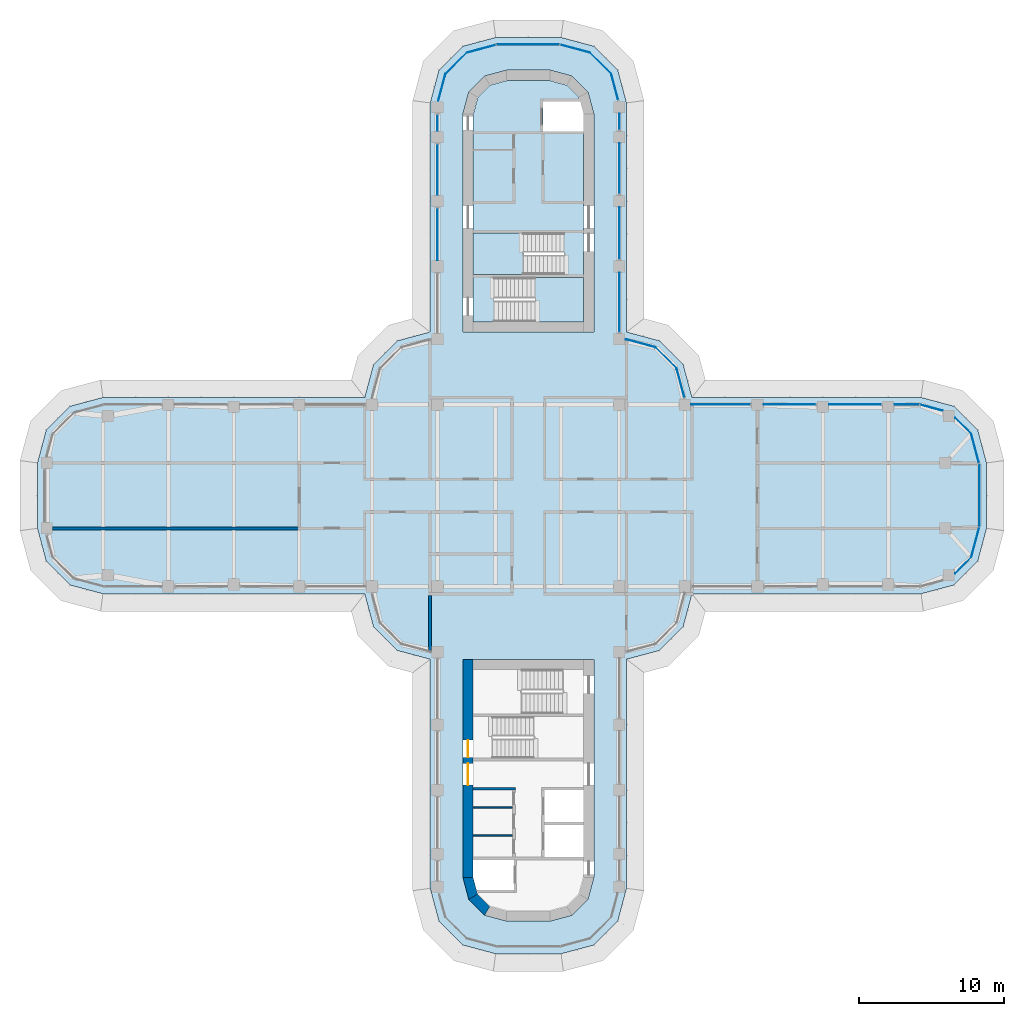
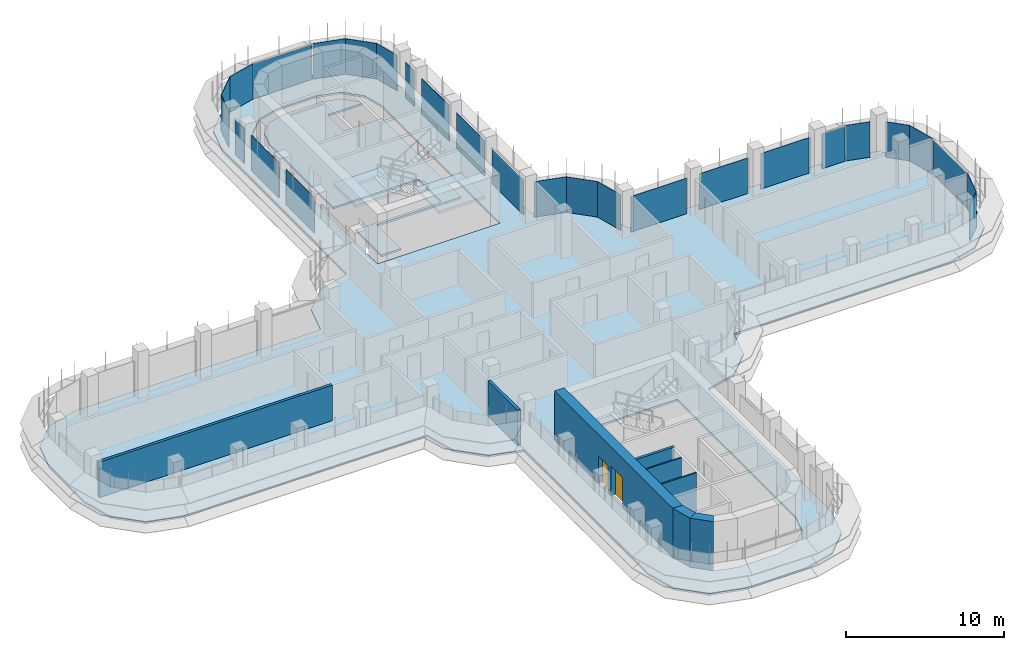
# One storey, part 12 of 19: 27 plates, 8 walls, 4 slabs, 2 doors, 2 openings, 21 elements without a shape of their own.
"""IFC4 building model written with IfcOpenShell, lengths in metres."""

from ifc_helpers import new_model, si_unit, direction, frame, frame_2d, origin, place, context, subcontext, project, spatial, polyline, rectangle, outline, extrude, source, transform, mapped, material, layer, layer_set, type_object, element, fill, aggregate, save


model = new_model("IFC4")

# Units and contexts
model_context = context("Model", 3, precision=1e-05, world=origin(), true_north=direction((0.0, 1.0)))
body_context = subcontext(model_context, "Body", "Model", "MODEL_VIEW")
ifc_project = project(units=[si_unit("LENGTHUNIT", "METRE"), si_unit("AREAUNIT", "SQUARE_METRE"), si_unit("VOLUMEUNIT", "CUBIC_METRE"), si_unit("PLANEANGLEUNIT", "RADIAN"), si_unit("MASSUNIT", "GRAM", prefix="KILO")], contexts=[model_context])

# Site, building, storey
site_placement = place(None, origin())
site = spatial("IfcSite", under=ifc_project, at=site_placement, CompositionType="ELEMENT")
building_placement = place(site_placement, origin())
building = spatial("IfcBuilding", under=site, at=building_placement, Name="Zarbagh Exchange Tower", CompositionType="ELEMENT")
storey_placement = place(building_placement, frame((0.0, 0.0, 175.199951171875)))
storey = spatial("IfcBuildingStorey", under=building, at=storey_placement, Name="L42", CompositionType="ELEMENT", Elevation=175.199951171875)

# Slabs
ifc_material_1 = material(Name="Concrete C40/50", Category="concrete")
ifc_layer_1 = layer(ifc_material_1, 0.14990234375)
ifc_layer_set_1 = layer_set([ifc_layer_1], Name="Composite floor slab 150 C40/50")
slab_type_1 = type_object("IfcSlabType", Name="Composite floor slab 150 C40/50", PredefinedType="FLOOR", material=ifc_layer_set_1)
slab_1_placement = place(storey_placement, frame((0.0, 0.0, -0.14990234375)))
element("IfcSlab", 1, at=slab_1_placement, inside=storey, type_object=slab_type_1, Name="S5 composite floor slab", PredefinedType="FLOOR", context=body_context, shape_type="SweptSolid", body=[
    extrude(outline(polyline([(-2.25, -31.5), (-4.5, -30.897216796875), (-6.147216796875, -29.25), (-6.75, -27.0), (-6.75, -11.25), (-9.0, -10.647216796875), (-10.647216796875, -9.0), (-11.25, -6.75), (-29.25, -6.75), (-31.5, -6.147216796875), (-33.147216796875, -4.5), (-33.75, -2.25), (-33.75, 2.25), (-33.147216796875, 4.5), (-31.5, 6.147216796875), (-29.25, 6.75), (-11.25, 6.75), (-10.647216796875, 9.0), (-9.0, 10.647216796875), (-6.75, 11.25), (-6.75, 27.0), (-6.147216796875, 29.25), (-4.5, 30.897216796875), (-2.25, 31.5), (2.25, 31.5), (4.5, 30.897216796875), (6.147216796875, 29.25), (6.75, 27.0), (6.75, 11.25), (9.0, 10.647216796875), (10.647216796875, 9.0), (11.25, 6.75), (27.0, 6.75), (29.25, 6.147216796875), (30.897216796875, 4.5), (31.5, 2.25), (31.5, -2.25), (30.897216796875, -4.5), (29.25, -6.147216796875), (27.0, -6.75), (11.25, -6.75), (10.647216796875, -9.0), (9.0, -10.647216796875), (6.75, -11.25), (6.75, -27.0), (6.147216796875, -29.25), (4.5, -30.897216796875), (2.25, -31.5), (-2.25, -31.5)]), holes=[polyline([(4.5, 11.25), (4.5, 26.25), (4.09814453125, 27.75), (3.0, 28.84814453125), (1.5, 29.25), (-1.5, 29.25), (-3.0, 28.84814453125), (-4.09814453125, 27.75), (-4.5, 26.25), (-4.5, 11.25), (4.5, 11.25)]), polyline([(-1.5, -29.25), (1.5, -29.25), (3.0, -28.84814453125), (4.09814453125, -27.75), (4.5, -26.25), (4.5, -11.25), (-4.5, -11.25), (-4.5, -26.25), (-4.09814453125, -27.75), (-3.0, -28.84814453125), (-1.5, -29.25)])]), origin(), (0.0, 0.0, 1.0), 0.14990234375),
])
ifc_layer_2 = layer(ifc_material_1, 0.14990234375)
ifc_layer_set_2 = layer_set([ifc_layer_2], Name="Core floor slab 150 C40/50")
slab_type_2 = type_object("IfcSlabType", Name="Core floor slab 150 C40/50", PredefinedType="FLOOR", material=ifc_layer_set_2)
slab_2_placement = place(storey_placement, frame((0.0, 0.0, -0.14990234375)))
element("IfcSlab", 2, at=slab_2_placement, inside=storey, type_object=slab_type_2, Name="S17 core N", PredefinedType="FLOOR", context=body_context, shape_type="SweptSolid", body=[
    extrude(outline(polyline([(-3.800048828125, 11.949951171875), (-3.800048828125, 15.199951171875), (2.449951171875, 15.199951171875), (2.449951171875, 18.050048828125), (-3.800048828125, 18.050048828125), (-3.800048828125, 26.15771484375), (-3.470458984375, 27.3876953125), (-2.6376953125, 28.220458984375), (-1.40771484375, 28.550048828125), (1.40771484375, 28.550048828125), (2.6376953125, 28.220458984375), (3.470458984375, 27.3876953125), (3.800048828125, 26.15771484375), (3.800048828125, 26.15771484375), (3.547607421875, 27.10009765625), (1.0, 27.10009765625), (1.0, 25.050048828125), (3.800048828125, 25.050048828125), (3.800048828125, 15.0), (-2.35009765625, 15.0), (-2.35009765625, 11.949951171875), (-3.800048828125, 11.949951171875)])), origin(), (0.0, 0.0, 1.0), 0.14990234375),
])

# Stair, slab
stair_type = type_object("IfcStairType", Name="Exit stair two-flight half-turn", PredefinedType="HALF_TURN_STAIR", material=ifc_material_1)
stair_1_placement = place(storey_placement, origin())
stair_1 = element("IfcStair", 3, at=stair_1_placement, inside=storey, type_object=stair_type, Name="exit stair ST1", PredefinedType="HALF_TURN_STAIR")
ifc_layer_3 = layer(ifc_material_1, 0.199951171875)
ifc_layer_set_3 = layer_set([ifc_layer_3], Name="Stair landing 200 mm")
slab_type_3 = type_object("IfcSlabType", Name="Stair landing 200 mm", PredefinedType="LANDING", material=ifc_layer_set_3)
slab_3_placement = place(storey_placement, frame((0.0, 0.0, 1.699951171875)))
slab_3 = element("IfcSlab", 4, at=slab_3_placement, type_object=slab_type_3, Name="ST1 landing 1", PredefinedType="LANDING", context=body_context, shape_type="SweptSolid", body=[
    extrude(outline(polyline([(-0.35009765625, 18.050048828125), (-3.800048828125, 18.050048828125), (-3.800048828125, 15.199951171875), (-0.35009765625, 15.199951171875), (-0.35009765625, 18.050048828125)])), origin(), (0.0, 0.0, 1.0), 0.2001953125),
])
aggregate(stair_1, [slab_3])

stair_2_placement = place(storey_placement, origin())
stair_2 = element("IfcStair", 5, at=stair_2_placement, inside=storey, type_object=stair_type, Name="exit stair ST2", PredefinedType="HALF_TURN_STAIR")
slab_4_placement = place(storey_placement, frame((0.0, 0.0, 1.699951171875)))
slab_4 = element("IfcSlab", 6, at=slab_4_placement, type_object=slab_type_3, Name="ST2 landing 1", PredefinedType="LANDING", context=body_context, shape_type="SweptSolid", body=[
    extrude(outline(polyline([(0.449951171875, 11.949951171875), (3.800048828125, 11.949951171875), (3.800048828125, 15.0), (0.449951171875, 15.0), (0.449951171875, 11.949951171875)])), origin(), (0.0, 0.0, 1.0), 0.2001953125),
])
aggregate(stair_2, [slab_4])

# Curtain wall, plate
ifc_material_2 = material(Name="Anodised aluminium frame and glazing", Category="aluminium")
curtain_wall_type = type_object("IfcCurtainWallType", Name="CWB Ribbon glazing, upper zones", PredefinedType="NOTDEFINED", material=ifc_material_2)
curtain_wall_1_placement = place(storey_placement, origin())
curtain_wall_1 = element("IfcCurtainWall", 7, at=curtain_wall_1_placement, inside=storey, type_object=curtain_wall_type, Name="CWB18 curtain wall", PredefinedType="NOTDEFINED")
ifc_material_3 = material(Name="Low-e double glazed unit, 6+12+6 mm")
ifc_layer_4 = layer(ifc_material_3, 0.031982421875)
ifc_layer_set_4 = layer_set([ifc_layer_4], Name="PAB Glazing panel, Low-e double glazed unit, 6+12+6 mm")
plate_type = type_object("IfcPlateType", Name="PAB Glazing panel, Low-e double glazed unit, 6+12+6 mm", PredefinedType="CURTAIN_PANEL", material=ifc_layer_set_4)
shared_shape_1 = source(origin(), body_context, "Body", "SweptSolid", [
    extrude(outline(polyline([(0.0, -0.01611328125), (2.061279296875, -0.01611328125), (2.061279296875, 0.01611328125), (0.0, 0.01611328125), (0.0, -0.01611328125)])), origin(), (0.0, 0.0, 1.0), 2.75),
])
placement = place(storey_placement, origin())
plate_1 = element("IfcPlate", 8, at=placement, type_object=plate_type, Name="CWB18 glazing panel 1.1", PredefinedType="CURTAIN_PANEL", context=body_context, shape_type="MappedRepresentation", body=[
    mapped(shared_shape_1, transform((10.19873046875, 8.7412109375, 0.0), x_axis=(-0.707106781187, 0.707106781187, 0.0), y_axis=(-0.707106781187, -0.707106781187, 0.0), z_axis=(0.0, 0.0, 1.0))),
])
aggregate(curtain_wall_1, [plate_1])

curtain_wall_2_placement = place(storey_placement, origin())
curtain_wall_2 = element("IfcCurtainWall", 9, at=curtain_wall_2_placement, inside=storey, type_object=curtain_wall_type, Name="CWB22 curtain wall", PredefinedType="NOTDEFINED")
plate_2 = element("IfcPlate", 10, at=placement, type_object=plate_type, Name="CWB22 glazing panel 1.1", PredefinedType="CURTAIN_PANEL", context=body_context, shape_type="MappedRepresentation", body=[
    mapped(shared_shape_1, transform((5.69873046875, 28.9912109375, 0.0), x_axis=(-0.707106781187, 0.707106781187, 0.0), y_axis=(-0.707106781187, -0.707106781187, 0.0), z_axis=(0.0, 0.0, 1.0))),
])
aggregate(curtain_wall_2, [plate_2])

curtain_wall_3_placement = place(storey_placement, origin())
curtain_wall_3 = element("IfcCurtainWall", 11, at=curtain_wall_3_placement, inside=storey, type_object=curtain_wall_type, Name="CWB26 curtain wall", PredefinedType="NOTDEFINED")
plate_3 = element("IfcPlate", 12, at=placement, type_object=plate_type, Name="CWB26 glazing panel 1.1", PredefinedType="CURTAIN_PANEL", context=body_context, shape_type="MappedRepresentation", body=[
    mapped(shared_shape_1, transform((-4.2412109375, 30.44873046875, 0.0), x_axis=(-0.707106781187, -0.707106781187, 0.0), y_axis=(0.707106781187, -0.707106781187, 0.0), z_axis=(0.0, 0.0, 1.0))),
])
aggregate(curtain_wall_3, [plate_3])

curtain_wall_4_placement = place(storey_placement, origin())
curtain_wall_4 = element("IfcCurtainWall", 13, at=curtain_wall_4_placement, inside=storey, type_object=curtain_wall_type, Name="CWB11 curtain wall", PredefinedType="NOTDEFINED")
shared_shape_2 = source(origin(), body_context, "Body", "SweptSolid", [
    extrude(outline(polyline([(0.0, -0.01611328125), (2.129638671875, -0.01611328125), (2.129638671875, 0.01611328125), (0.0, 0.01611328125), (0.0, -0.01611328125)])), origin(), (0.0, 0.0, 1.0), 2.75),
])
plate_4 = element("IfcPlate", 14, at=placement, type_object=plate_type, Name="CWB11 glazing panel 1.1", PredefinedType="CURTAIN_PANEL", context=body_context, shape_type="MappedRepresentation", body=[
    mapped(shared_shape_2, transform((30.44873046875, -4.2412109375, 0.0), x_axis=(0.258824779902, 0.965924289636, 0.0), y_axis=(-0.965924289636, 0.258824779902, 0.0), z_axis=(0.0, 0.0, 1.0))),
])
aggregate(curtain_wall_4, [plate_4])

curtain_wall_5_placement = place(storey_placement, origin())
curtain_wall_5 = element("IfcCurtainWall", 15, at=curtain_wall_5_placement, inside=storey, type_object=curtain_wall_type, Name="CWB23 curtain wall", PredefinedType="NOTDEFINED")
plate_5 = element("IfcPlate", 16, at=placement, type_object=plate_type, Name="CWB23 glazing panel 1.1", PredefinedType="CURTAIN_PANEL", context=body_context, shape_type="MappedRepresentation", body=[
    mapped(shared_shape_2, transform((4.2412109375, 30.44873046875, 0.0), x_axis=(-0.965924289636, 0.258824779902, 0.0), y_axis=(-0.258824779902, -0.965924289636, 0.0), z_axis=(0.0, 0.0, 1.0))),
])
aggregate(curtain_wall_5, [plate_5])

curtain_wall_6_placement = place(storey_placement, origin())
curtain_wall_6 = element("IfcCurtainWall", 17, at=curtain_wall_6_placement, inside=storey, type_object=curtain_wall_type, Name="CWB20 curtain wall", PredefinedType="NOTDEFINED")
shared_shape_3 = source(origin(), body_context, "Body", "SweptSolid", [
    extrude(outline(polyline([(0.0, -0.01611328125), (3.4599609375, -0.01611328125), (3.4599609375, 0.01611328125), (0.0, 0.01611328125), (0.0, -0.01611328125)])), origin(), (0.0, 0.0, 1.0), 2.75),
])
plate_6 = element("IfcPlate", 18, at=placement, type_object=plate_type, Name="CWB20 glazing panel 3.1", PredefinedType="CURTAIN_PANEL", context=body_context, shape_type="MappedRepresentation", body=[
    mapped(shared_shape_3, transform((6.25, 20.75, 0.0), x_axis=(0.0, 1.0, 0.0), y_axis=(-1.0, 0.0, 0.0), z_axis=(0.0, 0.0, 1.0))),
])

curtain_wall_7_placement = place(storey_placement, origin())
curtain_wall_7 = element("IfcCurtainWall", 19, at=curtain_wall_7_placement, inside=storey, type_object=curtain_wall_type, Name="CWB28 curtain wall", PredefinedType="NOTDEFINED")
plate_7 = element("IfcPlate", 20, at=placement, type_object=plate_type, Name="CWB28 glazing panel 2.1", PredefinedType="CURTAIN_PANEL", context=body_context, shape_type="MappedRepresentation", body=[
    mapped(shared_shape_3, transform((-6.25, 24.14990234375, 0.0), x_axis=(0.0, -1.0, 0.0), y_axis=(1.0, 0.0, 0.0), z_axis=(0.0, 0.0, 1.0))),
])

# Curtain wall, plates
curtain_wall_8_placement = place(storey_placement, origin())
curtain_wall_8 = element("IfcCurtainWall", 21, at=curtain_wall_8_placement, inside=storey, type_object=curtain_wall_type, Name="CWB16 curtain wall", PredefinedType="NOTDEFINED")
shared_shape_4 = source(origin(), body_context, "Body", "SweptSolid", [
    extrude(outline(polyline([(0.0, -0.01611328125), (3.56005859375, -0.01611328125), (3.56005859375, 0.01611328125), (0.0, 0.01611328125), (0.0, -0.01611328125)])), origin(), (0.0, 0.0, 1.0), 2.75),
])
plate_8 = element("IfcPlate", 22, at=placement, type_object=plate_type, Name="CWB16 glazing panel 2.1", PredefinedType="CURTAIN_PANEL", context=body_context, shape_type="MappedRepresentation", body=[
    mapped(shared_shape_4, transform((24.25, 6.25, 0.0), x_axis=(-1.0, 0.0, 0.0), y_axis=(0.0, -1.0, 0.0), z_axis=(0.0, 0.0, 1.0))),
])
plate_9 = element("IfcPlate", 23, at=placement, type_object=plate_type, Name="CWB16 glazing panel 3.1", PredefinedType="CURTAIN_PANEL", context=body_context, shape_type="MappedRepresentation", body=[
    mapped(shared_shape_4, transform((19.75, 6.25, 0.0), x_axis=(-1.0, 0.0, 0.0), y_axis=(0.0, -1.0, 0.0), z_axis=(0.0, 0.0, 1.0))),
])

# Plate
plate_10 = element("IfcPlate", 24, at=placement, type_object=plate_type, Name="CWB20 glazing panel 2.1", PredefinedType="CURTAIN_PANEL", context=body_context, shape_type="MappedRepresentation", body=[
    mapped(shared_shape_4, transform((6.25, 16.25, 0.0), x_axis=(0.0, 1.0, 0.0), y_axis=(-1.0, 0.0, 0.0), z_axis=(0.0, 0.0, 1.0))),
])

plate_11 = element("IfcPlate", 25, at=placement, type_object=plate_type, Name="CWB28 glazing panel 3.1", PredefinedType="CURTAIN_PANEL", context=body_context, shape_type="MappedRepresentation", body=[
    mapped(shared_shape_4, transform((-6.25, 19.75, 0.0), x_axis=(0.0, -1.0, 0.0), y_axis=(1.0, 0.0, 0.0), z_axis=(0.0, 0.0, 1.0))),
])

shared_shape_5 = source(origin(), body_context, "Body", "SweptSolid", [
    extrude(outline(polyline([(0.0, -0.01611328125), (4.06005859375, -0.01611328125), (4.06005859375, 0.01611328125), (0.0, 0.01611328125), (0.0, -0.01611328125)])), origin(), (0.0, 0.0, 1.0), 2.75),
])
plate_12 = element("IfcPlate", 26, at=placement, type_object=plate_type, Name="CWB16 glazing panel 4.1", PredefinedType="CURTAIN_PANEL", context=body_context, shape_type="MappedRepresentation", body=[
    mapped(shared_shape_5, transform((15.25, 6.25, 0.0), x_axis=(-1.0, 0.0, 0.0), y_axis=(0.0, -1.0, 0.0), z_axis=(0.0, 0.0, 1.0))),
])

# Curtain wall, plate
curtain_wall_9_placement = place(storey_placement, origin())
curtain_wall_9 = element("IfcCurtainWall", 27, at=curtain_wall_9_placement, inside=storey, type_object=curtain_wall_type, Name="CWB17 curtain wall", PredefinedType="NOTDEFINED")
shared_shape_6 = source(origin(), body_context, "Body", "SweptSolid", [
    extrude(outline(polyline([(0.0, -0.01611328125), (2.063720703125, -0.01611328125), (2.063720703125, 0.01611328125), (0.0, 0.01611328125), (0.0, -0.01611328125)])), origin(), (0.0, 0.0, 1.0), 2.75),
])
plate_13 = element("IfcPlate", 28, at=placement, type_object=plate_type, Name="CWB17 glazing panel 1.1", PredefinedType="CURTAIN_PANEL", context=body_context, shape_type="MappedRepresentation", body=[
    mapped(shared_shape_6, transform((10.73291015625, 6.748046875, 0.0), x_axis=(-0.258824779902, 0.965924289636, 0.0), y_axis=(-0.965924289636, -0.258824779902, 0.0), z_axis=(0.0, 0.0, 1.0))),
])
aggregate(curtain_wall_9, [plate_13])

curtain_wall_10_placement = place(storey_placement, origin())
curtain_wall_10 = element("IfcCurtainWall", 29, at=curtain_wall_10_placement, inside=storey, type_object=curtain_wall_type, Name="CWB19 curtain wall", PredefinedType="NOTDEFINED")
shared_shape_7 = source(origin(), body_context, "Body", "SweptSolid", [
    extrude(outline(polyline([(0.0, -0.01611328125), (2.12353515625, -0.01611328125), (2.12353515625, 0.01611328125), (0.0, 0.01611328125), (0.0, -0.01611328125)])), origin(), (0.0, 0.0, 1.0), 2.75),
])
plate_14 = element("IfcPlate", 30, at=placement, type_object=plate_type, Name="CWB19 glazing panel 1.1", PredefinedType="CURTAIN_PANEL", context=body_context, shape_type="MappedRepresentation", body=[
    mapped(shared_shape_7, transform((8.7412109375, 10.19873046875, 0.0), x_axis=(-0.965924289636, 0.258824779902, 0.0), y_axis=(-0.258824779902, -0.965924289636, 0.0), z_axis=(0.0, 0.0, 1.0))),
])
aggregate(curtain_wall_10, [plate_14])

# Plate
shared_shape_8 = source(origin(), body_context, "Body", "SweptSolid", [
    extrude(outline(polyline([(0.0, -0.01611328125), (4.06005859375, -0.01611328125), (4.06005859375, 0.01611328125), (0.0, 0.01611328125), (0.0, -0.01611328125)])), origin(), (0.0, 0.0, 1.0), 2.68994140625),
])
plate_15 = element("IfcPlate", 31, at=placement, type_object=plate_type, Name="CWB20 glazing panel 1.1", PredefinedType="CURTAIN_PANEL", context=body_context, shape_type="MappedRepresentation", body=[
    mapped(shared_shape_8, transform((6.25, 11.25, 0.0), x_axis=(0.0, 1.0, 0.0), y_axis=(-1.0, 0.0, 0.0), z_axis=(0.0, 0.0, 1.0))),
])

# Curtain wall, plate
curtain_wall_11_placement = place(storey_placement, origin())
curtain_wall_11 = element("IfcCurtainWall", 32, at=curtain_wall_11_placement, inside=storey, type_object=curtain_wall_type, Name="CWB10 curtain wall", PredefinedType="NOTDEFINED")
shared_shape_9 = source(origin(), body_context, "Body", "SweptSolid", [
    extrude(outline(polyline([(0.0, -0.01611328125), (1.556884765625, -0.01611328125), (1.556884765625, 0.01611328125), (0.0, 0.01611328125), (0.0, -0.01611328125)])), origin(), (0.0, 0.0, 1.0), 2.75),
])
plate_16 = element("IfcPlate", 33, at=placement, type_object=plate_type, Name="CWB10 glazing panel 1.1", PredefinedType="CURTAIN_PANEL", context=body_context, shape_type="MappedRepresentation", body=[
    mapped(shared_shape_9, transform((29.347900390625, -5.342041015625, 0.0), x_axis=(0.707106781187, 0.707106781187, 0.0), y_axis=(-0.707106781187, 0.707106781187, 0.0), z_axis=(0.0, 0.0, 1.0))),
])
aggregate(curtain_wall_11, [plate_16])

curtain_wall_12_placement = place(storey_placement, origin())
curtain_wall_12 = element("IfcCurtainWall", 34, at=curtain_wall_12_placement, inside=storey, type_object=curtain_wall_type, Name="CWB14 curtain wall", PredefinedType="NOTDEFINED")
plate_17 = element("IfcPlate", 35, at=placement, type_object=plate_type, Name="CWB14 glazing panel 1.1", PredefinedType="CURTAIN_PANEL", context=body_context, shape_type="MappedRepresentation", body=[
    mapped(shared_shape_9, transform((30.44873046875, 4.2412109375, 0.0), x_axis=(-0.707106781187, 0.707106781187, 0.0), y_axis=(-0.707106781187, -0.707106781187, 0.0), z_axis=(0.0, 0.0, 1.0))),
])
aggregate(curtain_wall_12, [plate_17])

curtain_wall_13_placement = place(storey_placement, origin())
curtain_wall_13 = element("IfcCurtainWall", 36, at=curtain_wall_13_placement, inside=storey, type_object=curtain_wall_type, Name="CWB12 curtain wall", PredefinedType="NOTDEFINED")
shared_shape_10 = source(origin(), body_context, "Body", "SweptSolid", [
    extrude(outline(polyline([(0.0, -0.01611328125), (4.308349609375, -0.01611328125), (4.308349609375, 0.01611328125), (0.0, 0.01611328125), (0.0, -0.01611328125)])), origin(), (0.0, 0.0, 1.0), 2.68994140625),
])
plate_18 = element("IfcPlate", 37, at=placement, type_object=plate_type, Name="CWB12 glazing panel 1.1", PredefinedType="CURTAIN_PANEL", context=body_context, shape_type="MappedRepresentation", body=[
    mapped(shared_shape_10, transform((31.0, -2.124267578125, 0.0), x_axis=(0.0, 1.0, 0.0), y_axis=(-1.0, 0.0, 0.0), z_axis=(0.0, 0.0, 1.0))),
])
aggregate(curtain_wall_13, [plate_18])

curtain_wall_14_placement = place(storey_placement, origin())
curtain_wall_14 = element("IfcCurtainWall", 38, at=curtain_wall_14_placement, inside=storey, type_object=curtain_wall_type, Name="CWB24 curtain wall", PredefinedType="NOTDEFINED")
plate_19 = element("IfcPlate", 39, at=placement, type_object=plate_type, Name="CWB24 glazing panel 1.1", PredefinedType="CURTAIN_PANEL", context=body_context, shape_type="MappedRepresentation", body=[
    mapped(shared_shape_10, transform((2.124267578125, 31.0, 0.0), x_axis=(-1.0, 0.0, 0.0), y_axis=(0.0, -1.0, 0.0), z_axis=(0.0, 0.0, 1.0))),
])
aggregate(curtain_wall_14, [plate_19])

curtain_wall_15_placement = place(storey_placement, origin())
curtain_wall_15 = element("IfcCurtainWall", 40, at=curtain_wall_15_placement, inside=storey, type_object=curtain_wall_type, Name="CWB13 curtain wall", PredefinedType="NOTDEFINED")
shared_shape_11 = source(origin(), body_context, "Body", "SweptSolid", [
    extrude(outline(polyline([(0.0, -0.01611328125), (2.069580078125, -0.01611328125), (2.069580078125, 0.01611328125), (0.0, 0.01611328125), (0.0, -0.01611328125)])), origin(), (0.0, 0.0, 1.0), 2.75),
])
plate_20 = element("IfcPlate", 41, at=placement, type_object=plate_type, Name="CWB13 glazing panel 1.1", PredefinedType="CURTAIN_PANEL", context=body_context, shape_type="MappedRepresentation", body=[
    mapped(shared_shape_11, transform((30.984375, 2.2421875, 0.0), x_axis=(-0.258824779902, 0.965924289636, 0.0), y_axis=(-0.965924289636, -0.258824779902, 0.0), z_axis=(0.0, 0.0, 1.0))),
])
aggregate(curtain_wall_15, [plate_20])

curtain_wall_16_placement = place(storey_placement, origin())
curtain_wall_16 = element("IfcCurtainWall", 42, at=curtain_wall_16_placement, inside=storey, type_object=curtain_wall_type, Name="CWB25 curtain wall", PredefinedType="NOTDEFINED")
plate_21 = element("IfcPlate", 43, at=placement, type_object=plate_type, Name="CWB25 glazing panel 1.1", PredefinedType="CURTAIN_PANEL", context=body_context, shape_type="MappedRepresentation", body=[
    mapped(shared_shape_11, transform((-2.2421875, 30.984375, 0.0), x_axis=(-0.965924289636, -0.258824779902, 0.0), y_axis=(0.258824779902, -0.965924289636, 0.0), z_axis=(0.0, 0.0, 1.0))),
])
aggregate(curtain_wall_16, [plate_21])

curtain_wall_17_placement = place(storey_placement, origin())
curtain_wall_17 = element("IfcCurtainWall", 44, at=curtain_wall_17_placement, inside=storey, type_object=curtain_wall_type, Name="CWB15 curtain wall", PredefinedType="NOTDEFINED")
shared_shape_12 = source(origin(), body_context, "Body", "SweptSolid", [
    extrude(outline(polyline([(0.0, -0.01611328125), (1.587890625, -0.01611328125), (1.587890625, 0.01611328125), (0.0, 0.01611328125), (0.0, -0.01611328125)])), origin(), (0.0, 0.0, 1.0), 2.75),
])
plate_22 = element("IfcPlate", 45, at=placement, type_object=plate_type, Name="CWB15 glazing panel 1.1", PredefinedType="CURTAIN_PANEL", context=body_context, shape_type="MappedRepresentation", body=[
    mapped(shared_shape_12, transform((28.468017578125, 5.839111328125, 0.0), x_axis=(-0.965924289636, 0.258824779902, 0.0), y_axis=(-0.258824779902, -0.965924289636, 0.0), z_axis=(0.0, 0.0, 1.0))),
])
aggregate(curtain_wall_17, [plate_22])

# Plate
shared_shape_13 = source(origin(), body_context, "Body", "SweptSolid", [
    extrude(outline(polyline([(0.0, -0.01611328125), (1.68408203125, -0.01611328125), (1.68408203125, 0.01611328125), (0.0, 0.01611328125), (0.0, -0.01611328125)])), origin(), (0.0, 0.0, 1.0), 2.68994140625),
])
plate_23 = element("IfcPlate", 46, at=placement, type_object=plate_type, Name="CWB16 glazing panel 1.1", PredefinedType="CURTAIN_PANEL", context=body_context, shape_type="MappedRepresentation", body=[
    mapped(shared_shape_13, transform((26.874267578125, 6.25, 0.0), x_axis=(-1.0, 0.0, 0.0), y_axis=(0.0, -1.0, 0.0), z_axis=(0.0, 0.0, 1.0))),
])

aggregate(curtain_wall_8, [plate_23, plate_8, plate_9, plate_12])

shared_shape_14 = source(origin(), body_context, "Body", "SweptSolid", [
    extrude(outline(polyline([(0.0, -0.01611328125), (1.110107421875, -0.01611328125), (1.110107421875, 0.01611328125), (0.0, 0.01611328125), (0.0, -0.01611328125)])), origin(), (0.0, 0.0, 1.0), 2.75),
])
plate_24 = element("IfcPlate", 47, at=placement, type_object=plate_type, Name="CWB20 glazing panel 4.1", PredefinedType="CURTAIN_PANEL", context=body_context, shape_type="MappedRepresentation", body=[
    mapped(shared_shape_14, transform((6.25, 25.150146484375, 0.0), x_axis=(0.0, 1.0, 0.0), y_axis=(-1.0, 0.0, 0.0), z_axis=(0.0, 0.0, 1.0))),
])

aggregate(curtain_wall_6, [plate_15, plate_10, plate_6, plate_24])

# Curtain wall, plate
curtain_wall_18_placement = place(storey_placement, origin())
curtain_wall_18 = element("IfcCurtainWall", 48, at=curtain_wall_18_placement, inside=storey, type_object=curtain_wall_type, Name="CWB21 curtain wall", PredefinedType="NOTDEFINED")
shared_shape_15 = source(origin(), body_context, "Body", "SweptSolid", [
    extrude(outline(polyline([(0.0, -0.01611328125), (1.8564453125, -0.01611328125), (1.8564453125, 0.01611328125), (0.0, 0.01611328125), (0.0, -0.01611328125)])), origin(), (0.0, 0.0, 1.0), 2.75),
])
plate_25 = element("IfcPlate", 49, at=placement, type_object=plate_type, Name="CWB21 glazing panel 1.1", PredefinedType="CURTAIN_PANEL", context=body_context, shape_type="MappedRepresentation", body=[
    mapped(shared_shape_15, transform((6.17919921875, 27.197998046875, 0.0), x_axis=(-0.258824779902, 0.965924289636, 0.0), y_axis=(-0.965924289636, -0.258824779902, 0.0), z_axis=(0.0, 0.0, 1.0))),
])
aggregate(curtain_wall_18, [plate_25])

curtain_wall_19_placement = place(storey_placement, origin())
curtain_wall_19 = element("IfcCurtainWall", 50, at=curtain_wall_19_placement, inside=storey, type_object=curtain_wall_type, Name="CWB27 curtain wall", PredefinedType="NOTDEFINED")
shared_shape_16 = source(origin(), body_context, "Body", "SweptSolid", [
    extrude(outline(polyline([(0.0, -0.01611328125), (1.91650390625, -0.01611328125), (1.91650390625, 0.01611328125), (0.0, 0.01611328125), (0.0, -0.01611328125)])), origin(), (0.0, 0.0, 1.0), 2.75),
])
plate_26 = element("IfcPlate", 51, at=placement, type_object=plate_type, Name="CWB27 glazing panel 1.1", PredefinedType="CURTAIN_PANEL", context=body_context, shape_type="MappedRepresentation", body=[
    mapped(shared_shape_16, transform((-5.69873046875, 28.9912109375, 0.0), x_axis=(-0.258824779902, -0.965924289636, 0.0), y_axis=(0.965924289636, -0.258824779902, 0.0), z_axis=(0.0, 0.0, 1.0))),
])
aggregate(curtain_wall_19, [plate_26])

# Plate
shared_shape_17 = source(origin(), body_context, "Body", "SweptSolid", [
    extrude(outline(polyline([(0.0, -0.01611328125), (1.110107421875, -0.01611328125), (1.110107421875, 0.01611328125), (0.0, 0.01611328125), (0.0, -0.01611328125)])), origin(), (0.0, 0.0, 1.0), 2.68994140625),
])
plate_27 = element("IfcPlate", 52, at=placement, type_object=plate_type, Name="CWB28 glazing panel 1.1", PredefinedType="CURTAIN_PANEL", context=body_context, shape_type="MappedRepresentation", body=[
    mapped(shared_shape_17, transform((-6.25, 26.199951171875, 0.0), x_axis=(0.0, -1.0, 0.0), y_axis=(1.0, 0.0, 0.0), z_axis=(0.0, 0.0, 1.0))),
])

aggregate(curtain_wall_7, [plate_27, plate_7, plate_11])

# Walls
ifc_material_4 = material(Name="Dense blockwork", Category="masonry")
ifc_layer_5 = layer(ifc_material_4, 0.10009765625)
ifc_layer_set_5 = layer_set([ifc_layer_5], Name="Core partition 100 mm blockwork")
wall_type_1 = type_object("IfcWallType", Name="Core partition 100 mm blockwork", PredefinedType="PARTITIONING", material=ifc_layer_set_5)
for number, where, z_axis, x_axis, name in (
    (53, (-1.10009765625, -23.35009765625, 0.0), (0.0, 0.0, 1.0), (-1.0, 0.0, 0.0), "South core partition wall CUT-E-500"),
    (54, (-1.10009765625, -21.449951171875, 0.0), (0.0, 0.0, 1.0), (-1.0, 0.0, 0.0), "South core partition wall CUT-E-690"),
):
    element("IfcWall", number, at=place(storey_placement, frame(where, z_axis=z_axis, x_axis=x_axis)), inside=storey, type_object=wall_type_1, Name=name, PredefinedType="PARTITIONING", context=body_context, shape_type="SweptSolid", body=[
        extrude(rectangle(XDim=2.699951171875, YDim=0.10009765625, at=frame_2d((1.35009765625, 0.0))), origin(), (0.0, 0.0, 1.0), 3.650146484375),
    ])
ifc_material_5 = material(Name="Fire-rated plasterboard partition")
ifc_layer_6 = layer(ifc_material_5, 0.199951171875)
ifc_layer_set_6 = layer_set([ifc_layer_6], Name="RATED PARTITION 200")
wall_type_2 = type_object("IfcWallType", Name="RATED PARTITION 200", PredefinedType="PARTITIONING", material=ifc_layer_set_6)
wall_1_placement = place(storey_placement, frame((-6.75, -10.6298828125, 0.0), z_axis=(0.0, 0.0, 1.0), x_axis=(0.0, 1.0, 0.0)))
element("IfcWall", 55, at=wall_1_placement, inside=storey, type_object=wall_type_2, Name="Partition W-1821", PredefinedType="PARTITIONING", context=body_context, shape_type="SweptSolid", body=[
    extrude(rectangle(XDim=3.77978515625, YDim=0.199951171875, at=frame_2d((1.889892578125, 0.0))), origin(), (0.0, 0.0, 1.0), 2.75),
])
wall_2_placement = place(storey_placement, frame((-32.7099609375, -2.25, 0.0), z_axis=(0.0, 0.0, 1.0), x_axis=(1.0, 0.0, 0.0)))
element("IfcWall", 56, at=wall_2_placement, inside=storey, type_object=wall_type_2, Name="Partition W-1846", PredefinedType="PARTITIONING", context=body_context, shape_type="SweptSolid", body=[
    extrude(rectangle(XDim=17.06005859375, YDim=0.199951171875, at=frame_2d((8.530029296875, 0.0))), origin(), (0.0, 0.0, 1.0), 2.75),
])
ifc_material_6 = material(Name="Concrete C50/60", Category="concrete")
ifc_layer_7 = layer(ifc_material_6, 0.699951171875)
ifc_layer_set_7 = layer_set([ifc_layer_7], Name="RC core corner wall 700 C50/60")
wall_type_3 = type_object("IfcWallType", Name="RC core corner wall 700 C50/60", PredefinedType="SHEAR", material=ifc_layer_set_7)
wall_3_placement = place(storey_placement, origin())
element("IfcWall", 57, at=wall_3_placement, inside=storey, type_object=wall_type_3, Name="CW6 core S corner W", PredefinedType="SHEAR", context=body_context, shape_type="SweptSolid", body=[
    extrude(outline(polyline([(-4.5, -26.25), (-4.09814453125, -27.75), (-3.491943359375, -27.39990234375), (-3.800048828125, -26.25), (-4.5, -26.25)])), origin(), (0.0, 0.0, 1.0), 3.800048828125),
])
wall_4_placement = place(storey_placement, origin())
element("IfcWall", 58, at=wall_4_placement, inside=storey, type_object=wall_type_3, Name="CW6 core S corner W", PredefinedType="SHEAR", context=body_context, shape_type="SweptSolid", body=[
    extrude(outline(polyline([(-4.09814453125, -27.75), (-3.0, -28.84814453125), (-2.64990234375, -28.241943359375), (-3.491943359375, -27.39990234375), (-4.09814453125, -27.75)])), origin(), (0.0, 0.0, 1.0), 3.800048828125),
])

# Wall, openings, doors
ifc_layer_8 = layer(ifc_material_6, 0.699951171875)
ifc_layer_set_8 = layer_set([ifc_layer_8], Name="RC core wall 700 C50/60")
wall_type_4 = type_object("IfcWallType", Name="RC core wall 700 C50/60", PredefinedType="SHEAR", material=ifc_layer_set_8)
wall_5_placement = place(storey_placement, frame((-4.14990234375, -11.25, 0.0), z_axis=(0.0, 0.0, 1.0), x_axis=(0.0, -1.0, 0.0)))
wall_5 = element("IfcWall", 59, at=wall_5_placement, inside=storey, type_object=wall_type_4, Name="CW5 core S W", PredefinedType="SHEAR", context=body_context, shape_type="SweptSolid", body=[
    extrude(rectangle(XDim=15.0, YDim=0.699951171875, at=frame_2d((7.5, 0.0))), origin(), (0.0, 0.0, 1.0), 3.800048828125),
])
opening_1_placement = place(wall_5_placement, frame((7.14990234375, 0.0, 0.0)))
opening_1 = element("IfcOpeningElement", 60, at=opening_1_placement, cuts=wall_5, Name="Opening CD1-1500", PredefinedType="OPENING", context=body_context, shape_type="SweptSolid", body=[
    extrude(rectangle(XDim=1.5, YDim=2.300048828125, at=frame_2d((0.75, 1.14990234375))), frame((0.0, 0.35986328125, 0.0), z_axis=(0.0, -1.0, 0.0), x_axis=(1.0, 0.0, 0.0)), (0.0, 0.0, 1.0), 0.719970703125),
])
opening_2_placement = place(wall_5_placement, frame((5.550048828125, 0.0, 0.0)))
opening_2 = element("IfcOpeningElement", 61, at=opening_2_placement, cuts=wall_5, Name="Opening SD1-1200", PredefinedType="OPENING", context=body_context, shape_type="SweptSolid", body=[
    extrude(rectangle(XDim=1.199951171875, YDim=2.10009765625, at=frame_2d((0.60009765625, 1.050048828125))), frame((0.0, 0.35986328125, 0.0), z_axis=(0.0, -1.0, 0.0), x_axis=(1.0, 0.0, 0.0)), (0.0, 0.0, 1.0), 0.719970703125),
])
ifc_material_7 = material(Name="Steel", Category="steel")
door_type_1 = type_object("IfcDoorType", Name="Exit stair door 1200 x 2100", OperationType="NOTDEFINED", PredefinedType="DOOR", material=ifc_material_7)
door_1_placement = place(opening_2_placement, origin())
door_1 = element("IfcDoor", 62, at=door_1_placement, inside=storey, type_object=door_type_1, Name="South core stair door ST1", OperationType="SINGLE_SWING_LEFT", OverallHeight=2.10009765625, OverallWidth=1.199951171875, PredefinedType="DOOR", context=body_context, shape_type="SweptSolid", body=[
    extrude(rectangle(XDim=1.199951171875, YDim=2.10009765625, at=frame_2d((0.60009765625, 1.050048828125))), frame((0.0, 0.02490234375, 0.0), z_axis=(0.0, -1.0, 0.0), x_axis=(1.0, 0.0, 0.0)), (0.0, 0.0, 1.0), 0.050048828125),
])
fill(opening_2, door_1)
door_type_2 = type_object("IfcDoorType", Name="Lift lobby double door 1500 x 2300", OperationType="NOTDEFINED", PredefinedType="DOOR", material=ifc_material_7)
door_2_placement = place(opening_1_placement, origin())
door_2 = element("IfcDoor", 63, at=door_2_placement, inside=storey, type_object=door_type_2, Name="South core lift lobby door LOBBY-E", OperationType="DOUBLE_DOOR_SINGLE_SWING", OverallHeight=2.300048828125, OverallWidth=1.5, PredefinedType="DOOR", context=body_context, shape_type="SweptSolid", body=[
    extrude(rectangle(XDim=1.5, YDim=2.300048828125, at=frame_2d((0.75, 1.14990234375))), frame((0.0, 0.02490234375, 0.0), z_axis=(0.0, -1.0, 0.0), x_axis=(1.0, 0.0, 0.0)), (0.0, 0.0, 1.0), 0.050048828125),
])
fill(opening_1, door_2)

# Wall
ifc_layer_9 = layer(ifc_material_4, 0.199951171875)
ifc_layer_set_9 = layer_set([ifc_layer_9], Name="Shaft wall 200 mm blockwork")
wall_type_5 = type_object("IfcWallType", Name="Shaft wall 200 mm blockwork", PredefinedType="PARTITIONING", material=ifc_layer_set_9)
wall_6_placement = place(storey_placement, frame((-0.89990234375, -20.14990234375, 0.0), z_axis=(0.0, 0.0, 1.0), x_axis=(-1.0, 0.0, 0.0)))
element("IfcWall", 64, at=wall_6_placement, inside=storey, type_object=wall_type_5, Name="South core shaft wall AB-E", PredefinedType="PARTITIONING", context=body_context, shape_type="SweptSolid", body=[
    extrude(rectangle(XDim=2.900146484375, YDim=0.199951171875, at=frame_2d((1.4501953125, 0.0))), origin(), (0.0, 0.0, 1.0), 3.650146484375),
])

save(model, "model.ifc")
